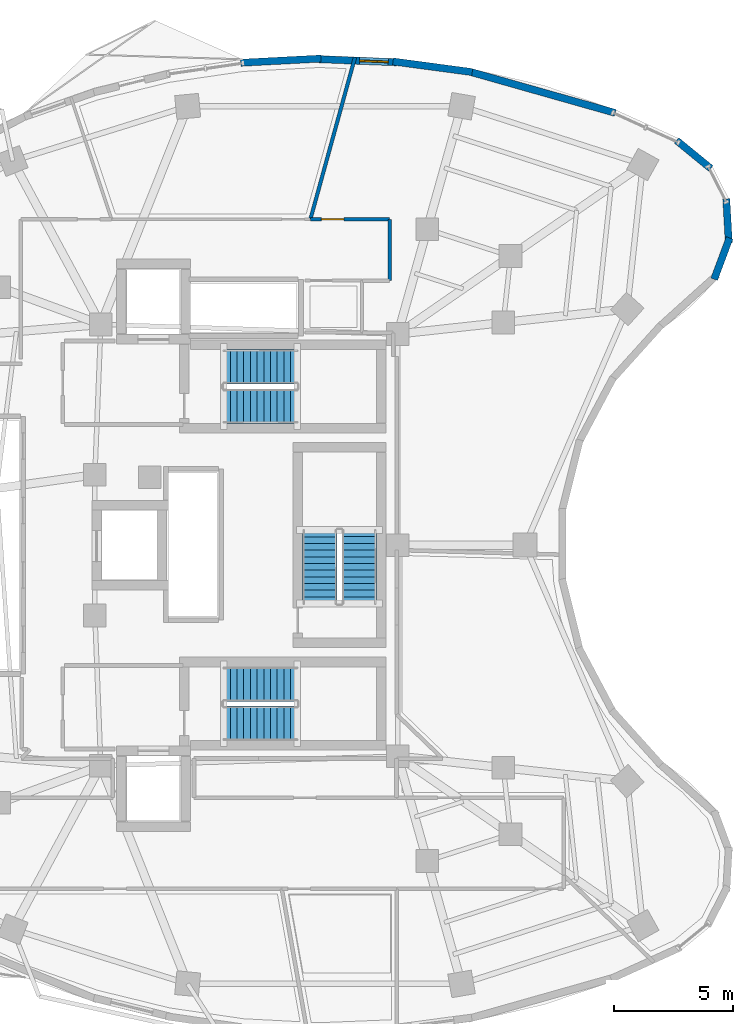
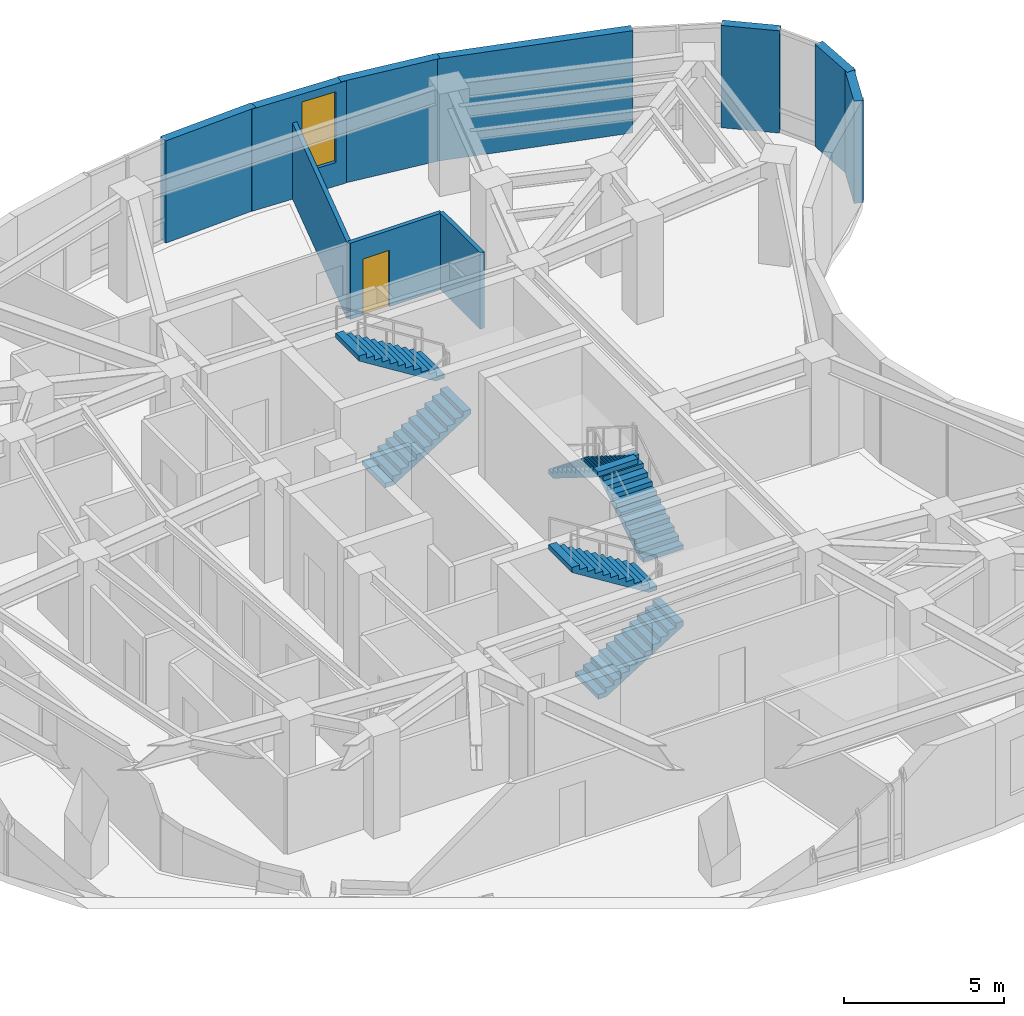
# One storey, part 10 of 13: 10 walls, 6 stair flights, 1 door, 1 window, 2 openings, 3 elements without a shape of their own.
"""IFC4 building model written with IfcOpenShell, lengths in metres."""

import ifcopenshell
import ifcopenshell.guid

model = None  # the IFC model being written
_history = None  # IfcOwnerHistory: only IFC2X3 demands one
_inside = {}  # id of a spatial element -> (the spatial element, [elements in it])
_under = {}  # id of a project, library or spatial element -> (it, [spatial elements below it])
_declared = {}  # id of a project -> (the project, [libraries it declares])
_typed = {}  # id of a type object -> (the type object, [elements of that type])
_made_of = {}  # id of a material, layer set ... -> (it, [elements and type objects made of it])


def new_model(schema):
    """Start an empty IFC model of exactly this schema.

    Asked for "IFC4X3", IfcOpenShell would pick the latest addendum, in which some entities
    have other attributes; the version numbers below select the first issue.
    IFC2X3 requires an IfcOwnerHistory on every rooted entity: one is made here for all.
    """
    global model, _history
    if schema == "IFC4X3":
        model = ifcopenshell.file(schema_version=(4, 3, 0, 0))
    else:
        model = ifcopenshell.file(schema=schema)
    _inside.clear()
    _under.clear()
    _declared.clear()
    _typed.clear()
    _made_of.clear()
    _history = None
    if model.schema == "IFC2X3":
        org = make("IfcOrganization", Name="unknown")
        user = make(
            "IfcPersonAndOrganization",
            ThePerson=make("IfcPerson", FamilyName="unknown"),
            TheOrganization=org,
        )
        app = make(
            "IfcApplication",
            ApplicationDeveloper=org,
            Version="unknown",
            ApplicationFullName="unknown",
            ApplicationIdentifier="unknown",
        )
        _history = make(
            "IfcOwnerHistory",
            OwningUser=user,
            OwningApplication=app,
            ChangeAction="ADDED",
            CreationDate=0,
        )
    return model


def make(cls, **values):
    """One entity of the class cls with the attributes given. An attribute that is None is left unset."""
    return model.create_entity(
        cls, **{name: value for name, value in values.items() if value is not None}
    )


def rooted(cls, **values):
    """An entity with a GlobalId (a new one), such as an element, a storey or a relation."""
    return make(cls, GlobalId=ifcopenshell.guid.new(), OwnerHistory=_history, **values)


def si_unit(unit_type, name, prefix=None):
    """IfcSIUnit, for example si_unit("LENGTHUNIT", "METRE", prefix="MILLI")."""
    return make("IfcSIUnit", UnitType=unit_type, Prefix=prefix, Name=name)


def assignment(units):
    """IfcUnitAssignment: the units of a project."""
    return None if units is None else make("IfcUnitAssignment", Units=units)


def point(xyz):
    """IfcCartesianPoint."""
    return None if xyz is None else make("IfcCartesianPoint", Coordinates=xyz)


def direction(xyz):
    """IfcDirection."""
    return None if xyz is None else make("IfcDirection", DirectionRatios=xyz)


def frame(location, z_axis=None, x_axis=None):
    """IfcAxis2Placement3D, a coordinate frame: its origin and axes. An axis left out is left unset."""
    return make(
        "IfcAxis2Placement3D",
        Location=point(location),
        Axis=direction(z_axis),
        RefDirection=direction(x_axis),
    )


def frame_2d(location, x_axis=None):
    """IfcAxis2Placement2D, a coordinate frame in the plane: its origin and x axis."""
    return make(
        "IfcAxis2Placement2D", Location=point(location), RefDirection=direction(x_axis)
    )


def origin():
    """The frame at (0, 0, 0) with its axes left unset."""
    return frame((0.0, 0.0, 0.0))


def place(relative_to, where):
    """IfcLocalPlacement: puts the frame where relative to a parent placement (None: the world)."""
    return make(
        "IfcLocalPlacement", PlacementRelTo=relative_to, RelativePlacement=where
    )


def context(
    kind, dimensions, precision=None, world=None, true_north=None, identifier=None
):
    """IfcGeometricRepresentationContext, for example the 3D "Model" context."""
    return make(
        "IfcGeometricRepresentationContext",
        ContextIdentifier=identifier,
        ContextType=kind,
        CoordinateSpaceDimension=dimensions,
        Precision=precision,
        WorldCoordinateSystem=world,
        TrueNorth=true_north,
    )


def subcontext(parent, identifier, kind, view, scale=None):
    """IfcGeometricRepresentationSubContext, for example "Body" below "Model"."""
    return make(
        "IfcGeometricRepresentationSubContext",
        ContextIdentifier=identifier,
        ContextType=kind,
        ParentContext=parent,
        TargetScale=scale,
        TargetView=view,
    )


def project(units=None, contexts=None):
    """IfcProject with its units and contexts."""
    return rooted(
        "IfcProject",
        Name="project",
        RepresentationContexts=contexts,
        UnitsInContext=assignment(units),
    )


def spatial(cls, under=None, at=None, **own):
    """A site, building, storey or space (cls), placed at a placement, below another one or the project."""
    s = rooted(cls, ObjectPlacement=at, **own)
    if under is not None:
        _under.setdefault(under.id(), (under, []))[1].append(s)
    return s


def polyline(points):
    """IfcPolyline through the points."""
    return make("IfcPolyline", Points=[point(p) for p in points])


def profile(cls, at=None, kind="AREA", **sizes):
    """A parametric profile (cls). Its sizes go by their IFC names, for example OverallWidth=200.0."""
    return make(cls, ProfileType=kind, Position=at, **sizes)


def rectangle(**sizes):
    """IfcRectangleProfileDef."""
    return profile("IfcRectangleProfileDef", **sizes)


def outline(outer, holes=None, kind="AREA"):
    """IfcArbitraryClosedProfileDef: a profile drawn as a closed curve; with holes, ...WithVoids."""
    if holes is None:
        return make("IfcArbitraryClosedProfileDef", ProfileType=kind, OuterCurve=outer)
    return make(
        "IfcArbitraryProfileDefWithVoids",
        ProfileType=kind,
        OuterCurve=outer,
        InnerCurves=holes,
    )


def extrude(swept, where, along, depth):
    """IfcExtrudedAreaSolid: the profile swept, set in the frame where, extruded along a direction by depth."""
    return make(
        "IfcExtrudedAreaSolid",
        SweptArea=swept,
        Position=where,
        ExtrudedDirection=direction(along),
        Depth=depth,
    )


def shape(context_of_items, identifier, shape_type, items):
    """IfcShapeRepresentation: the items that make up one representation, for example the "Body"."""
    return make(
        "IfcShapeRepresentation",
        ContextOfItems=context_of_items,
        RepresentationIdentifier=identifier,
        RepresentationType=shape_type,
        Items=items,
    )


def material(Name=None, Category=None):
    """IfcMaterial."""
    return make("IfcMaterial", Name=Name, Category=Category)


def layer(
    of_material, thickness, ventilated=None, Name=None, Category=None, Priority=None
):
    """IfcMaterialLayer: one layer of a wall or slab, of a material (None: an air gap)."""
    return make(
        "IfcMaterialLayer",
        Material=of_material,
        LayerThickness=thickness,
        IsVentilated=ventilated,
        Name=Name,
        Category=Category,
        Priority=Priority,
    )


def layer_set(layers, Name=None):
    """IfcMaterialLayerSet."""
    return make("IfcMaterialLayerSet", MaterialLayers=layers, LayerSetName=Name)


def made_of(thing, what):
    """Note that an element or type object is made of a material, layer set ...; save() writes the relation."""
    if what is not None:
        _made_of.setdefault(what.id(), (what, []))[1].append(thing)
    return thing


def type_object(cls, material=None, **own):
    """A type object (cls), such as IfcWallType, which elements share."""
    return made_of(rooted(cls, **own), material)


def element(
    cls,
    number,
    at=None,
    inside=None,
    cuts=None,
    type_object=None,
    material=None,
    context=None,
    identifier="Body",
    shape_type=None,
    held_by="IfcProductDefinitionShape",
    body=None,
    shapes=None,
    **own,
):
    """One element of the class cls, such as IfcWall. Its Tag is "e" and its number.

    at: its placement. inside: the storey or other place that contains it. cuts: it is an
    opening in that element (IfcRelVoidsElement). A single representation is given by context,
    identifier, shape_type and body (its items); several are given by shapes. held_by: the class
    of the entity that holds the representations. save() writes the other relations.
    """
    e = rooted(cls, Tag="e%d" % number, ObjectPlacement=at, **own)
    if body is not None:
        shapes = [shape(context, identifier, shape_type, body)]
    if shapes is not None:
        e.Representation = make(held_by, Representations=shapes)
    if inside is not None:
        _inside.setdefault(inside.id(), (inside, []))[1].append(e)
    if cuts is not None:
        rooted(
            "IfcRelVoidsElement", RelatingBuildingElement=cuts, RelatedOpeningElement=e
        )
    if type_object is not None:
        _typed.setdefault(type_object.id(), (type_object, []))[1].append(e)
    return made_of(e, material)


def fill(opening, filler):
    """IfcRelFillsElement: the door or window that sits in an opening."""
    return rooted(
        "IfcRelFillsElement",
        RelatingOpeningElement=opening,
        RelatedBuildingElement=filler,
    )


def aggregate(whole, parts):
    """IfcRelAggregates: a whole, such as a stair, and the parts it consists of."""
    return rooted("IfcRelAggregates", RelatingObject=whole, RelatedObjects=parts)


def save(model, path):
    """Write the relations noted so far, then the file.

    IfcRelAggregates (storeys below a building ...), IfcRelContainedInSpatialStructure (elements
    in a storey), IfcRelDefinesByType, IfcRelAssociatesMaterial and IfcRelDeclares: one each for
    every whole, place, type object, material and project.
    """
    for whole, parts in _under.values():
        aggregate(whole, parts)
    for where, things in _inside.values():
        rooted(
            "IfcRelContainedInSpatialStructure",
            RelatedElements=things,
            RelatingStructure=where,
        )
    for kind, things in _typed.values():
        rooted("IfcRelDefinesByType", RelatedObjects=things, RelatingType=kind)
    for what, things in _made_of.values():
        rooted("IfcRelAssociatesMaterial", RelatedObjects=things, RelatingMaterial=what)
    for by, libraries in _declared.values():
        rooted("IfcRelDeclares", RelatingContext=by, RelatedDefinitions=libraries)
    model.write(path)


model = new_model("IFC4")

# Units and contexts
model_context = context("Model", 3, precision=1e-05, world=origin(), true_north=direction((0.0, 1.0)))
body_context = subcontext(model_context, "Body", "Model", "MODEL_VIEW")
ifc_project = project(units=[si_unit("LENGTHUNIT", "METRE"), si_unit("AREAUNIT", "SQUARE_METRE"), si_unit("VOLUMEUNIT", "CUBIC_METRE"), si_unit("PLANEANGLEUNIT", "RADIAN"), si_unit("MASSUNIT", "GRAM", prefix="KILO")], contexts=[model_context])

# Site, building, storey
site_placement = place(None, origin())
site = spatial("IfcSite", under=ifc_project, at=site_placement, CompositionType="ELEMENT")
building_placement = place(site_placement, origin())
building = spatial("IfcBuilding", under=site, at=building_placement, Name="Korentha Bioscience Tower", CompositionType="ELEMENT")
storey_placement = place(building_placement, frame((0.0, 0.0, 154.199951171875)))
storey = spatial("IfcBuildingStorey", under=building, at=storey_placement, Name="L35", CompositionType="ELEMENT", Elevation=154.199951171875)

# Wall, opening, door
ifc_material_1 = material(Name="Double-Stud Acoustic Gypsum", Category="gypsum")
ifc_layer_1 = layer(ifc_material_1, 0.14990234375, Name="Double-Stud Acoustic Gypsum")
ifc_layer_set_1 = layer_set([ifc_layer_1], Name="Double-Stud Acoustic Gypsum (IW-L150)")
wall_type_1 = type_object("IfcWallType", Name="Acoustic Laboratory Partition Wall 150", PredefinedType="PARTITIONING", material=ifc_layer_set_1)
wall_1_placement = place(storey_placement, frame((37.199951171875, 40.659912109375, 0.0), z_axis=(0.0, 0.0, 1.0), x_axis=(-1.0, 0.0, 0.0)))
wall_1 = element("IfcWall", 1, at=wall_1_placement, inside=storey, type_object=wall_type_1, Name="L35 Translational Medicine Team Office 08 Entrance Wall", PredefinedType="PARTITIONING", context=body_context, shape_type="SweptSolid", body=[
    extrude(rectangle(XDim=3.31494140625, YDim=0.14990234375, at=frame_2d((1.657470703125, 0.0))), origin(), (0.0, 0.0, 1.0), 2.91015625),
])
opening_1_placement = place(wall_1_placement, frame((1.906982421875, 0.0, 0.0)))
opening_1 = element("IfcOpeningElement", 2, at=opening_1_placement, cuts=wall_1, Name="Opening ID-10L", PredefinedType="OPENING", context=body_context, shape_type="SweptSolid", body=[
    extrude(rectangle(XDim=0.949951171875, YDim=2.14990234375, at=frame_2d((0.47509765625, 1.074951171875))), frame((0.0, 0.08984375, 0.0), z_axis=(0.0, -1.0, 0.0), x_axis=(1.0, 0.0, 0.0)), (0.0, 0.0, 1.0), 0.1796875),
])
ifc_material_2 = material(Name="Phenolic Laminate Timber Core", Category="wood")
door_type = type_object("IfcDoorType", Name="Laboratory Single Leaf Door 950x2150 Left", OperationType="SINGLE_SWING_LEFT", PredefinedType="DOOR", material=ifc_material_2)
door_placement = place(opening_1_placement, origin())
door = element("IfcDoor", 3, at=door_placement, inside=storey, type_object=door_type, Name="L35 Translational Medicine Team Office 08 Door", OperationType="SINGLE_SWING_LEFT", OverallHeight=2.14990234375, OverallWidth=0.949951171875, PredefinedType="DOOR", context=body_context, shape_type="SweptSolid", body=[
    extrude(rectangle(XDim=0.949951171875, YDim=2.14990234375, at=frame_2d((0.47509765625, 1.074951171875))), frame((0.0, 0.02490234375, 0.0), z_axis=(0.0, -1.0, 0.0), x_axis=(1.0, 0.0, 0.0)), (0.0, 0.0, 1.0), 0.050048828125),
])
fill(opening_1, door)

# Walls
wall_2_placement = place(storey_placement, frame((37.2099609375, 38.10009765625, 0.0), z_axis=(0.0, 0.0, 1.0), x_axis=(0.0, 1.0, 0.0)))
element("IfcWall", 4, at=wall_2_placement, inside=storey, type_object=wall_type_1, Name="L35 Interior Partition 058", PredefinedType="PARTITIONING", context=body_context, shape_type="SweptSolid", body=[
    extrude(rectangle(XDim=2.5498046875, YDim=0.14990234375, at=frame_2d((1.27490234375, 0.0))), origin(), (0.0, 0.0, 1.0), 2.91015625),
])
wall_3_placement = place(storey_placement, frame((33.885009765625, 40.659912109375, 0.0), z_axis=(0.0, 0.0, 1.0), x_axis=(0.26554760057, 0.964097750143, 0.0)))
element("IfcWall", 5, at=wall_3_placement, inside=storey, type_object=wall_type_1, Name="L35 Interior Partition 059", PredefinedType="PARTITIONING", context=body_context, shape_type="SweptSolid", body=[
    extrude(rectangle(XDim=7.0361328125, YDim=0.14990234375, at=frame_2d((3.51806640625, 0.0))), origin(), (0.0, 0.0, 1.0), 2.91015625),
])

# Wall, opening, window
ifc_material_3 = material(Name="Honed Limestone Precast Concrete C40", Category="masonry")
ifc_layer_2 = layer(ifc_material_3, 0.300048828125, Name="Honed Limestone Precast Concrete C40")
ifc_layer_set_2 = layer_set([ifc_layer_2], Name="Honed Limestone Precast Concrete C40 (EW-ST300)")
wall_type_2 = type_object("IfcWallType", Name="Honed Limestone Cavity Spandrel Wall 300", PredefinedType="STANDARD", material=ifc_layer_set_2)
wall_4_placement = place(storey_placement, frame((37.499755859375, 47.239990234375, 0.0), z_axis=(0.0, 0.0, 1.0), x_axis=(-0.999191674443, 0.040199474165, 0.0)))
wall_4 = element("IfcWall", 6, at=wall_4_placement, inside=storey, type_object=wall_type_2, Name="L35 Honed Limestone Spandrel Wall 05", PredefinedType="STANDARD", context=body_context, shape_type="SweptSolid", body=[
    extrude(rectangle(XDim=3.328125, YDim=0.300048828125, at=frame_2d((1.6640625, 0.0))), origin(), (0.0, 0.0, 1.0), 3.900146484375),
])
opening_2_placement = place(wall_4_placement, frame((0.353271484375, 0.0, 0.89990234375)))
opening_2 = element("IfcOpeningElement", 7, at=opening_2_placement, cuts=wall_4, Name="Opening WN-03", PredefinedType="OPENING", context=body_context, shape_type="SweptSolid", body=[
    extrude(rectangle(XDim=1.199951171875, YDim=2.699951171875, at=frame_2d((0.60009765625, 1.35009765625))), frame((0.0, 0.1650390625, 0.0), z_axis=(0.0, -1.0, 0.0), x_axis=(1.0, 0.0, 0.0)), (0.0, 0.0, 1.0), 0.329833984375),
])
ifc_material_4 = material(Name="Thermally Broken Aluminium Triple Glazing", Category="aluminium")
window_type = type_object("IfcWindowType", Name="Theatre Foyer Tall Ribbon Window 1200x2700", PartitioningType="SINGLE_PANEL", PredefinedType="WINDOW", material=ifc_material_4)
window_placement = place(opening_2_placement, origin())
window = element("IfcWindow", 8, at=window_placement, inside=storey, type_object=window_type, Name="L35 Facade Window 05", OverallHeight=2.699951171875, OverallWidth=1.199951171875, PartitioningType="SINGLE_PANEL", PredefinedType="WINDOW", context=body_context, shape_type="SweptSolid", body=[
    extrude(rectangle(XDim=1.199951171875, YDim=2.699951171875, at=frame_2d((0.60009765625, 1.35009765625))), frame((0.0, 0.030029296875, 0.0), z_axis=(0.0, -1.0, 0.0), x_axis=(1.0, 0.0, 0.0)), (0.0, 0.0, 1.0), 0.06005859375),
])
fill(opening_2, window)

# Walls
wall_5_placement = place(storey_placement, frame((46.659912109375, 45.119384765625, 0.0), z_axis=(0.0, 0.0, 1.0), x_axis=(-0.962163849422, 0.272471515694, 0.0)))
element("IfcWall", 9, at=wall_5_placement, inside=storey, type_object=wall_type_2, Name="L35 Limestone Perimeter Closure Wall 02", PredefinedType="STANDARD", context=body_context, shape_type="SweptSolid", body=[
    extrude(rectangle(XDim=6.4091796875, YDim=0.300048828125, at=frame_2d((3.20458984375, 0.0))), origin(), (0.0, 0.0, 1.0), 3.900146484375),
])
wall_6_placement = place(storey_placement, frame((40.6689453125, 46.8291015625, 0.0), z_axis=(0.0, 0.0, 1.0), x_axis=(-0.991137940717, 0.132836675925, 0.0)))
element("IfcWall", 10, at=wall_6_placement, inside=storey, type_object=wall_type_2, Name="L35 Limestone Perimeter Closure Wall 04", PredefinedType="STANDARD", context=body_context, shape_type="SweptSolid", body=[
    extrude(rectangle(XDim=3.3505859375, YDim=0.300048828125, at=frame_2d((1.67529296875, 0.0))), origin(), (0.0, 0.0, 1.0), 3.900146484375),
])
wall_7_placement = place(storey_placement, frame((34.327880859375, 47.395751953125, 0.0), z_axis=(0.0, 0.0, 1.0), x_axis=(-0.998639777298, -0.052140149581, 0.0)))
element("IfcWall", 11, at=wall_7_placement, inside=storey, type_object=wall_type_2, Name="L35 Limestone Perimeter Closure Wall 06", PredefinedType="STANDARD", context=body_context, shape_type="SweptSolid", body=[
    extrude(rectangle(XDim=3.36669921875, YDim=0.300048828125, at=frame_2d((1.683349609375, 0.0))), origin(), (0.0, 0.0, 1.0), 3.900146484375),
])
for number, where, z_axis, x_axis, name in (
    (12, (50.811279296875, 38.143310546875, 0.0), (0.0, 0.0, 1.0), (0.348984166898, 0.937128620443, 0.0), "L35 Limestone Perimeter Closure Wall 59"),
    (13, (51.425537109375, 39.6669921875, 0.0), (0.0, 0.0, 1.0), (-0.057485341891, 0.998346350455, 0.0), "L35 Limestone Perimeter Closure Wall 60"),
    (14, (50.668212890625, 42.7919921875, 0.0), (0.0, 0.0, 1.0), (-0.774174596654, 0.632972111467, 0.0), "L35 Limestone Perimeter Closure Wall 62"),
):
    element("IfcWall", number, at=place(storey_placement, frame(where, z_axis=z_axis, x_axis=x_axis)), inside=storey, type_object=wall_type_2, Name=name, PredefinedType="STANDARD", context=body_context, shape_type="SweptSolid", body=[
        extrude(rectangle(XDim=1.851806640625, YDim=0.300048828125, at=frame_2d((0.92578125, 0.0))), origin(), (0.0, 0.0, 1.0), 3.900146484375),
    ])

# Stair, stair flights
ifc_material_5 = material(Name="Precast Concrete C50", Category="concrete")
stair_type = type_object("IfcStairType", Name="Core Exit Dog-Leg Stair 1450", PredefinedType="HALF_TURN_STAIR", material=ifc_material_5)
stair_1_placement = place(storey_placement, origin())
stair_1 = element("IfcStair", 15, at=stair_1_placement, inside=storey, type_object=stair_type, Name="L35 Tower North Pressurized Exit Stair ST-1", PredefinedType="HALF_TURN_STAIR")
stair_flight_type = type_object("IfcStairFlightType", Name="Core Exit Dog-Leg Stair 1450 Flight", PredefinedType="STRAIGHT", material=ifc_material_5)
stair_flight_1_placement = place(storey_placement, frame((30.25, 32.824951171875, 0.0), z_axis=(0.0, 0.0, 1.0), x_axis=(1.0, 0.0, 0.0)))
stair_flight_1 = element("IfcStairFlight", 16, at=stair_flight_1_placement, type_object=stair_flight_type, Name="ST-1 flight 1", NumberOfRisers=12, NumberOfTreads=11, PredefinedType="STRAIGHT", RiserHeight=0.175, TreadLength=0.28, context=body_context, shape_type="SweptSolid", body=[
    extrude(outline(polyline([(0.0, 0.0), (0.0, 0.175048828125), (0.280029296875, 0.175048828125), (0.280029296875, 0.35009765625), (0.56005859375, 0.35009765625), (0.56005859375, 0.52490234375), (0.840087890625, 0.52490234375), (0.840087890625, 0.699951171875), (1.1201171875, 0.699951171875), (1.1201171875, 0.875), (1.39990234375, 0.875), (1.39990234375, 1.050048828125), (1.679931640625, 1.050048828125), (1.679931640625, 1.22509765625), (1.9599609375, 1.22509765625), (1.9599609375, 1.39990234375), (2.239990234375, 1.39990234375), (2.239990234375, 1.574951171875), (2.52001953125, 1.574951171875), (2.52001953125, 1.75), (2.800048828125, 1.75), (2.800048828125, 1.925048828125), (3.080078125, 1.925048828125), (3.080078125, 2.10009765625), (3.080078125, 1.736328125), (0.3017578125, 0.0), (0.0, 0.0)])), frame((0.0, 0.72509765625, 0.0), z_axis=(0.0, -1.0, 0.0), x_axis=(1.0, 0.0, 0.0)), (0.0, 0.0, 1.0), 1.449951171875),
])
stair_flight_2_placement = place(storey_placement, frame((33.330078125, 34.47509765625, 2.10009765625), z_axis=(0.0, 0.0, 1.0), x_axis=(-1.0, 0.0, 0.0)))
stair_flight_2 = element("IfcStairFlight", 17, at=stair_flight_2_placement, type_object=stair_flight_type, Name="ST-1 flight 2", NumberOfRisers=12, NumberOfTreads=11, PredefinedType="STRAIGHT", RiserHeight=0.175, TreadLength=0.28, context=body_context, shape_type="SweptSolid", body=[
    extrude(outline(polyline([(0.0, 0.0), (0.0, 0.175048828125), (0.280029296875, 0.175048828125), (0.280029296875, 0.35009765625), (0.56005859375, 0.35009765625), (0.56005859375, 0.52490234375), (0.840087890625, 0.52490234375), (0.840087890625, 0.699951171875), (1.1201171875, 0.699951171875), (1.1201171875, 0.875), (1.39990234375, 0.875), (1.39990234375, 1.050048828125), (1.679931640625, 1.050048828125), (1.679931640625, 1.22509765625), (1.9599609375, 1.22509765625), (1.9599609375, 1.39990234375), (2.239990234375, 1.39990234375), (2.239990234375, 1.574951171875), (2.52001953125, 1.574951171875), (2.52001953125, 1.75), (2.800048828125, 1.75), (2.800048828125, 1.925048828125), (3.080078125, 1.925048828125), (3.080078125, 2.10009765625), (3.080078125, 1.736328125), (0.3017578125, 0.0), (0.0, 0.0)])), frame((0.0, 0.72509765625, 0.0), z_axis=(0.0, -1.0, 0.0), x_axis=(1.0, 0.0, 0.0)), (0.0, 0.0, 1.0), 1.449951171875),
])
aggregate(stair_1, [stair_flight_1, stair_flight_2])

stair_2_placement = place(storey_placement, origin())
stair_2 = element("IfcStair", 18, at=stair_2_placement, inside=storey, type_object=stair_type, Name="L35 Tower South Pressurized Exit Stair ST-2", PredefinedType="HALF_TURN_STAIR")
stair_flight_3_placement = place(storey_placement, frame((30.25, 19.52490234375, 0.0), z_axis=(0.0, 0.0, 1.0), x_axis=(1.0, 0.0, 0.0)))
stair_flight_3 = element("IfcStairFlight", 19, at=stair_flight_3_placement, type_object=stair_flight_type, Name="ST-2 flight 1", NumberOfRisers=12, NumberOfTreads=11, PredefinedType="STRAIGHT", RiserHeight=0.175, TreadLength=0.28, context=body_context, shape_type="SweptSolid", body=[
    extrude(outline(polyline([(0.0, 0.0), (0.0, 0.175048828125), (0.280029296875, 0.175048828125), (0.280029296875, 0.35009765625), (0.56005859375, 0.35009765625), (0.56005859375, 0.52490234375), (0.840087890625, 0.52490234375), (0.840087890625, 0.699951171875), (1.1201171875, 0.699951171875), (1.1201171875, 0.875), (1.39990234375, 0.875), (1.39990234375, 1.050048828125), (1.679931640625, 1.050048828125), (1.679931640625, 1.22509765625), (1.9599609375, 1.22509765625), (1.9599609375, 1.39990234375), (2.239990234375, 1.39990234375), (2.239990234375, 1.574951171875), (2.52001953125, 1.574951171875), (2.52001953125, 1.75), (2.800048828125, 1.75), (2.800048828125, 1.925048828125), (3.080078125, 1.925048828125), (3.080078125, 2.10009765625), (3.080078125, 1.736328125), (0.3017578125, 0.0), (0.0, 0.0)])), frame((0.0, 0.72509765625, 0.0), z_axis=(0.0, -1.0, 0.0), x_axis=(1.0, 0.0, 0.0)), (0.0, 0.0, 1.0), 1.449951171875),
])
stair_flight_4_placement = place(storey_placement, frame((33.330078125, 21.175048828125, 2.10009765625), z_axis=(0.0, 0.0, 1.0), x_axis=(-1.0, 0.0, 0.0)))
stair_flight_4 = element("IfcStairFlight", 20, at=stair_flight_4_placement, type_object=stair_flight_type, Name="ST-2 flight 2", NumberOfRisers=12, NumberOfTreads=11, PredefinedType="STRAIGHT", RiserHeight=0.175, TreadLength=0.28, context=body_context, shape_type="SweptSolid", body=[
    extrude(outline(polyline([(0.0, 0.0), (0.0, 0.175048828125), (0.280029296875, 0.175048828125), (0.280029296875, 0.35009765625), (0.56005859375, 0.35009765625), (0.56005859375, 0.52490234375), (0.840087890625, 0.52490234375), (0.840087890625, 0.699951171875), (1.1201171875, 0.699951171875), (1.1201171875, 0.875), (1.39990234375, 0.875), (1.39990234375, 1.050048828125), (1.679931640625, 1.050048828125), (1.679931640625, 1.22509765625), (1.9599609375, 1.22509765625), (1.9599609375, 1.39990234375), (2.239990234375, 1.39990234375), (2.239990234375, 1.574951171875), (2.52001953125, 1.574951171875), (2.52001953125, 1.75), (2.800048828125, 1.75), (2.800048828125, 1.925048828125), (3.080078125, 1.925048828125), (3.080078125, 2.10009765625), (3.080078125, 1.736328125), (0.3017578125, 0.0), (0.0, 0.0)])), frame((0.0, 0.72509765625, 0.0), z_axis=(0.0, -1.0, 0.0), x_axis=(1.0, 0.0, 0.0)), (0.0, 0.0, 1.0), 1.449951171875),
])
aggregate(stair_2, [stair_flight_3, stair_flight_4])

stair_3_placement = place(storey_placement, origin())
stair_3 = element("IfcStair", 21, at=stair_3_placement, inside=storey, type_object=stair_type, Name="L35 Tower Central Pressurized Exit Stair ST-3", PredefinedType="HALF_TURN_STAIR")
stair_flight_5_placement = place(storey_placement, frame((35.925048828125, 24.550048828125, 0.0), z_axis=(0.0, 0.0, 1.0), x_axis=(0.0, 1.0, 0.0)))
stair_flight_5 = element("IfcStairFlight", 22, at=stair_flight_5_placement, type_object=stair_flight_type, Name="ST-3 flight 1", NumberOfRisers=12, NumberOfTreads=11, PredefinedType="STRAIGHT", RiserHeight=0.175, TreadLength=0.28, context=body_context, shape_type="SweptSolid", body=[
    extrude(outline(polyline([(0.0, 0.0), (0.0, 0.175048828125), (0.280029296875, 0.175048828125), (0.280029296875, 0.35009765625), (0.56005859375, 0.35009765625), (0.56005859375, 0.52490234375), (0.840087890625, 0.52490234375), (0.840087890625, 0.699951171875), (1.1201171875, 0.699951171875), (1.1201171875, 0.875), (1.39990234375, 0.875), (1.39990234375, 1.050048828125), (1.679931640625, 1.050048828125), (1.679931640625, 1.22509765625), (1.9599609375, 1.22509765625), (1.9599609375, 1.39990234375), (2.239990234375, 1.39990234375), (2.239990234375, 1.574951171875), (2.52001953125, 1.574951171875), (2.52001953125, 1.75), (2.800048828125, 1.75), (2.800048828125, 1.925048828125), (3.080078125, 1.925048828125), (3.080078125, 2.10009765625), (3.080078125, 1.736328125), (0.3017578125, 0.0), (0.0, 0.0)])), frame((0.0, 0.72509765625, 0.0), z_axis=(0.0, -1.0, 0.0), x_axis=(1.0, 0.0, 0.0)), (0.0, 0.0, 1.0), 1.449951171875),
])
stair_flight_6_placement = place(storey_placement, frame((34.27490234375, 27.6298828125, 2.10009765625), z_axis=(0.0, 0.0, 1.0), x_axis=(0.0, -1.0, 0.0)))
stair_flight_6 = element("IfcStairFlight", 23, at=stair_flight_6_placement, type_object=stair_flight_type, Name="ST-3 flight 2", NumberOfRisers=12, NumberOfTreads=11, PredefinedType="STRAIGHT", RiserHeight=0.175, TreadLength=0.28, context=body_context, shape_type="SweptSolid", body=[
    extrude(outline(polyline([(0.0, 0.0), (0.0, 0.175048828125), (0.280029296875, 0.175048828125), (0.280029296875, 0.35009765625), (0.56005859375, 0.35009765625), (0.56005859375, 0.52490234375), (0.840087890625, 0.52490234375), (0.840087890625, 0.699951171875), (1.1201171875, 0.699951171875), (1.1201171875, 0.875), (1.39990234375, 0.875), (1.39990234375, 1.050048828125), (1.679931640625, 1.050048828125), (1.679931640625, 1.22509765625), (1.9599609375, 1.22509765625), (1.9599609375, 1.39990234375), (2.239990234375, 1.39990234375), (2.239990234375, 1.574951171875), (2.52001953125, 1.574951171875), (2.52001953125, 1.75), (2.800048828125, 1.75), (2.800048828125, 1.925048828125), (3.080078125, 1.925048828125), (3.080078125, 2.10009765625), (3.080078125, 1.736328125), (0.3017578125, 0.0), (0.0, 0.0)])), frame((0.0, 0.72509765625, 0.0), z_axis=(0.0, -1.0, 0.0), x_axis=(1.0, 0.0, 0.0)), (0.0, 0.0, 1.0), 1.449951171875),
])
aggregate(stair_3, [stair_flight_5, stair_flight_6])

save(model, "model.ifc")
